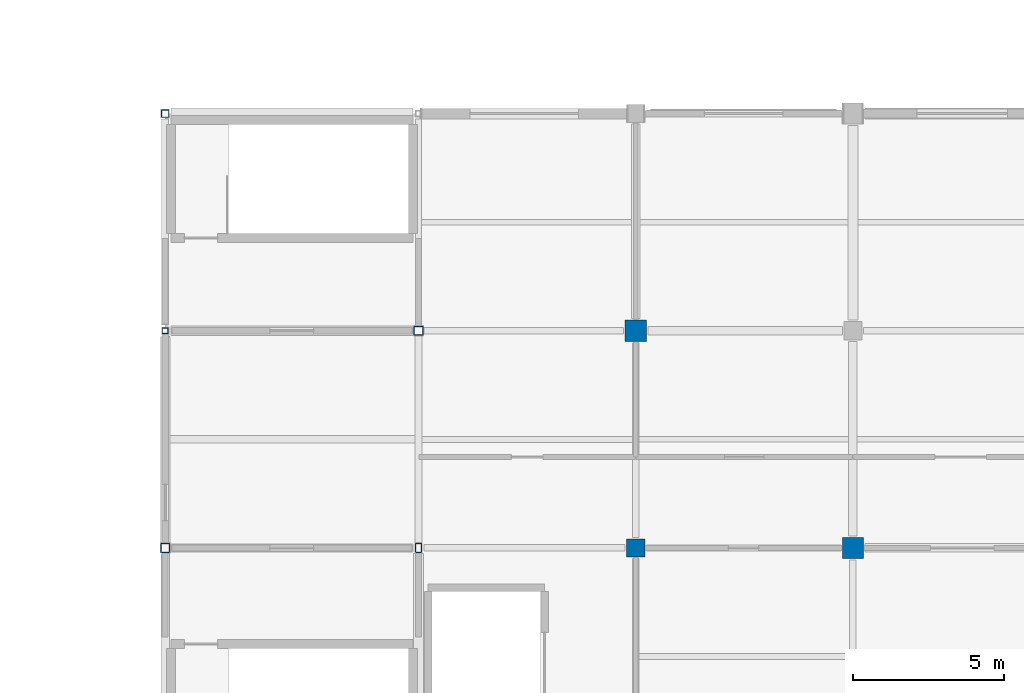
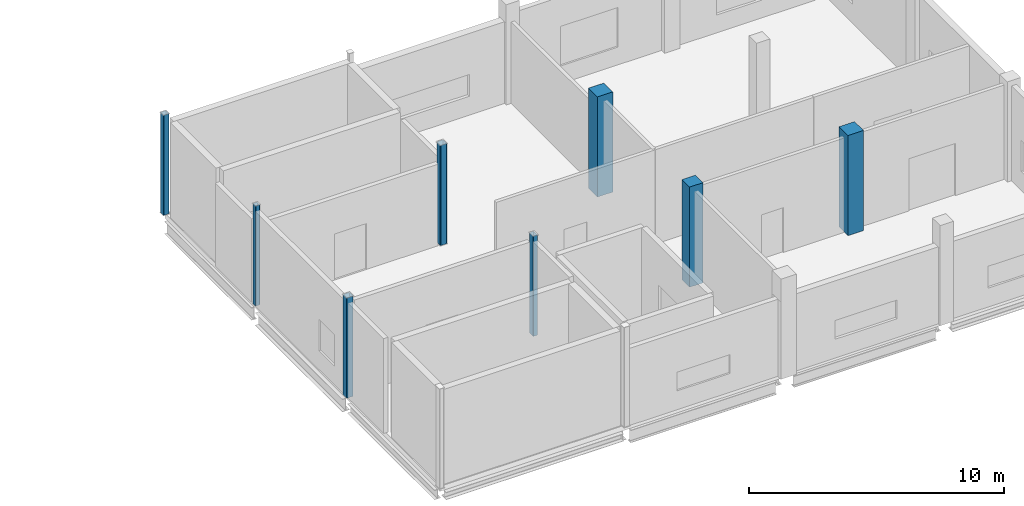
# One storey, part 14 of 72: 8 columns.
"""IFC4 building model written with IfcOpenShell, lengths in metres."""

from ifc_helpers import new_model, si_unit, direction, frame, origin, origin_2d, place, context, subcontext, project, spatial, rectangle, hollow_rectangle, extrude, material, material_profile, profile_set, type_object, element, save


model = new_model("IFC4")

# Units and contexts
model_context = context("Model", 3, precision=1e-05, world=origin(), true_north=direction((0.0, 1.0)))
body_context = subcontext(model_context, "Body", "Model", "MODEL_VIEW")
ifc_project = project(units=[si_unit("LENGTHUNIT", "METRE"), si_unit("AREAUNIT", "SQUARE_METRE"), si_unit("VOLUMEUNIT", "CUBIC_METRE"), si_unit("PLANEANGLEUNIT", "RADIAN"), si_unit("MASSUNIT", "GRAM", prefix="KILO")], contexts=[model_context])

# Site, building, storey
site_placement = place(None, origin())
site = spatial("IfcSite", under=ifc_project, at=site_placement, CompositionType="ELEMENT")
building_placement = place(site_placement, origin())
building = spatial("IfcBuilding", under=site, at=building_placement, Name="Calvrana Isthmian Art Gallery", CompositionType="ELEMENT")
storey_placement = place(building_placement, frame((0.0, 0.0, 15.0)))
storey = spatial("IfcBuildingStorey", under=building, at=storey_placement, Name="L03", CompositionType="ELEMENT", Elevation=15.0)

# Columns
ifc_material_1 = material(Name="Concrete C40/50", Category="concrete")
ifc_material_profile_1 = material_profile(ifc_material_1, rectangle(XDim=0.60009765625, YDim=0.60009765625, at=origin_2d()), Name="RC600X600")
ifc_profile_set_1 = profile_set([ifc_material_profile_1], Name="Concrete C40/50")
column_type_1 = type_object("IfcColumnType", Name="COL-RC-RC600X600", PredefinedType="COLUMN", material=ifc_profile_set_1)
column_1_placement = place(storey_placement, frame((120.0, 84.0, 0.0), z_axis=(0.0, 0.0, 1.0), x_axis=(1.0, 0.0, 0.0)))
element("IfcColumn", 1, at=column_1_placement, inside=storey, type_object=column_type_1, Name="Column 16/L L03", PredefinedType="COLUMN", context=body_context, shape_type="SweptSolid", body=[
    extrude(rectangle(XDim=0.60009765625, YDim=0.60009765625, at=origin_2d()), origin(), (0.0, 0.0, 1.0), 4.800048828125),
])
ifc_material_profile_2 = material_profile(ifc_material_1, rectangle(XDim=0.699951171875, YDim=0.699951171875, at=origin_2d()), Name="RC700X700")
ifc_profile_set_2 = profile_set([ifc_material_profile_2], Name="Concrete C40/50")
column_type_2 = type_object("IfcColumnType", Name="COL-RC-RC700X700", PredefinedType="COLUMN", material=ifc_profile_set_2)
for number, where, z_axis, x_axis, name in (
    (2, (120.0, 91.199951171875, 0.0), (0.0, 0.0, 1.0), (1.0, 0.0, 0.0), "Column 16/M L03"),
    (3, (127.199951171875, 84.0, 0.0), (0.0, 0.0, 1.0), (1.0, 0.0, 0.0), "Column 17/L L03"),
):
    element("IfcColumn", number, at=place(storey_placement, frame(where, z_axis=z_axis, x_axis=x_axis)), inside=storey, type_object=column_type_2, Name=name, PredefinedType="COLUMN", context=body_context, shape_type="SweptSolid", body=[
        extrude(rectangle(XDim=0.699951171875, YDim=0.699951171875, at=origin_2d()), origin(), (0.0, 0.0, 1.0), 4.800048828125),
    ])
ifc_material_2 = material(Name="Steel ASTM A500 Gr C", Category="steel")
ifc_material_profile_3 = material_profile(ifc_material_2, hollow_rectangle(XDim=0.203125, YDim=0.203125, WallThickness=0.0126953125, OuterFilletRadius=0.02490234375, at=origin_2d()), Name="HSS203X203X12.7")
ifc_profile_set_3 = profile_set([ifc_material_profile_3], Name="Steel ASTM A500 Gr C")
column_type_3 = type_object("IfcColumnType", Name="COL-STL-HSS203X203X12.7", PredefinedType="COLUMN", material=ifc_profile_set_3)
column_2_placement = place(storey_placement, frame((104.39990234375, 91.199951171875, 0.0), z_axis=(0.0, 0.0, 1.0), x_axis=(1.0, 0.0, 0.0)))
element("IfcColumn", 4, at=column_2_placement, inside=storey, type_object=column_type_3, Name="Column 14/M L03", PredefinedType="COLUMN", context=body_context, shape_type="SweptSolid", body=[
    extrude(hollow_rectangle(XDim=0.203125, YDim=0.203125, WallThickness=0.0126953125, OuterFilletRadius=0.02490234375, at=origin_2d()), origin(), (0.0, 0.0, 1.0), 4.800048828125),
])
ifc_material_profile_4 = material_profile(ifc_material_2, hollow_rectangle(XDim=0.25390625, YDim=0.25390625, WallThickness=0.0126953125, OuterFilletRadius=0.02490234375, at=origin_2d()), Name="HSS254X254X12.7")
ifc_profile_set_4 = profile_set([ifc_material_profile_4], Name="Steel ASTM A500 Gr C")
column_type_4 = type_object("IfcColumnType", Name="COL-STL-HSS254X254X12.7", PredefinedType="COLUMN", material=ifc_profile_set_4)
column_3_placement = place(storey_placement, frame((104.39990234375, 98.39990234375, 0.0), z_axis=(0.0, 0.0, 1.0), x_axis=(1.0, 0.0, 0.0)))
element("IfcColumn", 5, at=column_3_placement, inside=storey, type_object=column_type_4, Name="Column 14/N L03", PredefinedType="COLUMN", context=body_context, shape_type="SweptSolid", body=[
    extrude(hollow_rectangle(XDim=0.25390625, YDim=0.25390625, WallThickness=0.0126953125, OuterFilletRadius=0.02490234375, at=origin_2d()), origin(), (0.0, 0.0, 1.0), 4.800048828125),
])
ifc_material_profile_5 = material_profile(ifc_material_2, hollow_rectangle(XDim=0.203125, YDim=0.3046875, WallThickness=0.0126953125, OuterFilletRadius=0.02490234375, at=origin_2d()), Name="HSS305X203X12.7")
ifc_profile_set_5 = profile_set([ifc_material_profile_5], Name="Steel ASTM A500 Gr C")
column_type_5 = type_object("IfcColumnType", Name="COL-STL-HSS305X203X12.7", PredefinedType="COLUMN", material=ifc_profile_set_5)
column_4_placement = place(storey_placement, frame((112.800048828125, 84.0, 0.0), z_axis=(0.0, 0.0, 1.0), x_axis=(1.0, 0.0, 0.0)))
element("IfcColumn", 6, at=column_4_placement, inside=storey, type_object=column_type_5, Name="Column 15/L L03", PredefinedType="COLUMN", context=body_context, shape_type="SweptSolid", body=[
    extrude(hollow_rectangle(XDim=0.203125, YDim=0.3046875, WallThickness=0.0126953125, OuterFilletRadius=0.02490234375, at=origin_2d()), origin(), (0.0, 0.0, 1.0), 4.800048828125),
])
ifc_material_profile_6 = material_profile(ifc_material_2, hollow_rectangle(XDim=0.3046875, YDim=0.3046875, WallThickness=0.015869140625, OuterFilletRadius=0.031982421875, at=origin_2d()), Name="HSS305X305X15.9")
ifc_profile_set_6 = profile_set([ifc_material_profile_6], Name="Steel ASTM A500 Gr C")
column_type_6 = type_object("IfcColumnType", Name="COL-STL-HSS305X305X15.9", PredefinedType="COLUMN", material=ifc_profile_set_6)
for number, where, z_axis, x_axis, name in (
    (7, (104.39990234375, 84.0, 0.0), (0.0, 0.0, 1.0), (1.0, 0.0, 0.0), "Column 14/L L03"),
    (8, (112.800048828125, 91.199951171875, 0.0), (0.0, 0.0, 1.0), (1.0, 0.0, 0.0), "Column 15/M L03"),
):
    element("IfcColumn", number, at=place(storey_placement, frame(where, z_axis=z_axis, x_axis=x_axis)), inside=storey, type_object=column_type_6, Name=name, PredefinedType="COLUMN", context=body_context, shape_type="SweptSolid", body=[
        extrude(hollow_rectangle(XDim=0.3046875, YDim=0.3046875, WallThickness=0.015869140625, OuterFilletRadius=0.031982421875, at=origin_2d()), origin(), (0.0, 0.0, 1.0), 4.800048828125),
    ])

save(model, "model.ifc")
